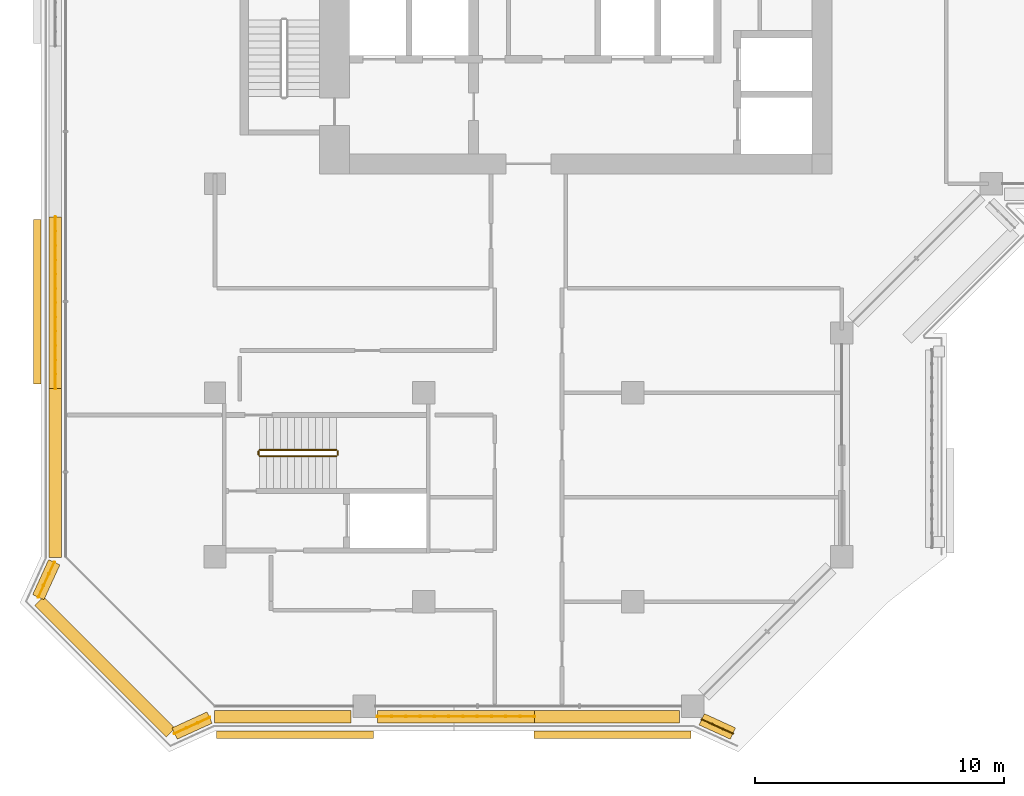
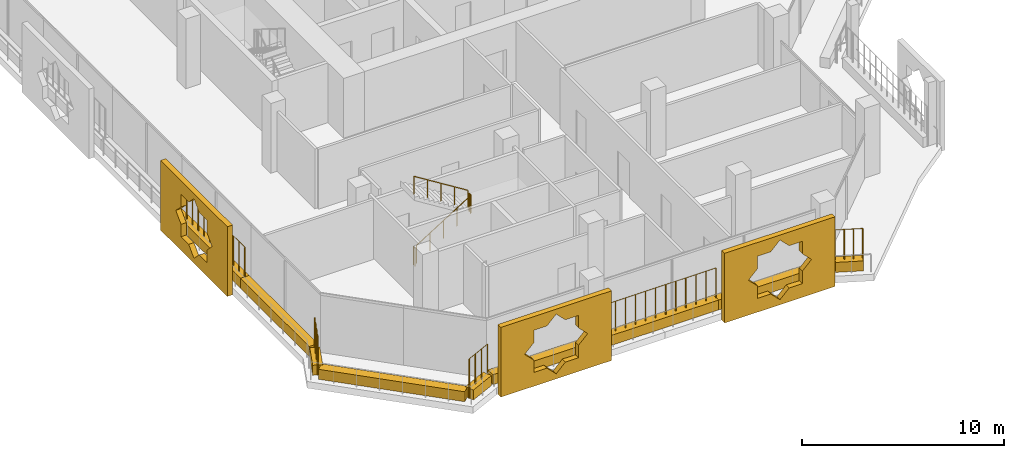
# One storey, part 15 of 22: 12 coverings, 9 railings.
"""IFC4 building model written with IfcOpenShell, lengths in metres."""

from ifc_helpers import new_model, si_unit, direction, frame, origin, origin_2d, place, context, subcontext, project, spatial, polyline, rectangle, circle, outline, extrude, material, material_profile, profile_set, type_object, element, save


model = new_model("IFC4")

# Units and contexts
model_context = context("Model", 3, precision=1e-05, world=origin(), true_north=direction((0.0, 1.0)))
body_context = subcontext(model_context, "Body", "Model", "MODEL_VIEW")
ifc_project = project(units=[si_unit("LENGTHUNIT", "METRE"), si_unit("AREAUNIT", "SQUARE_METRE"), si_unit("VOLUMEUNIT", "CUBIC_METRE"), si_unit("PLANEANGLEUNIT", "RADIAN"), si_unit("MASSUNIT", "GRAM", prefix="KILO")], contexts=[model_context])

# Site, building, storey
site_placement = place(None, origin())
site = spatial("IfcSite", under=ifc_project, at=site_placement, CompositionType="ELEMENT")
building_placement = place(site_placement, origin())
building = spatial("IfcBuilding", under=site, at=building_placement, Name="Kawkab Arch Medical Tower", CompositionType="ELEMENT")
storey_placement = place(building_placement, frame((0.0, 0.0, 255.800048828125)))
storey = spatial("IfcBuildingStorey", under=building, at=storey_placement, Name="L59", CompositionType="ELEMENT", Elevation=255.800048828125)

# Coverings
ifc_material_1 = material(Name="Bronze anodised aluminium mashrabiya panel, eight-point star pattern", Category="aluminium")
ifc_material_profile_1 = material_profile(ifc_material_1, outline(polyline([(-3.14990234375, -2.10009765625), (3.14990234375, -2.10009765625), (3.14990234375, 2.10009765625), (-3.14990234375, 2.10009765625), (-3.14990234375, -2.10009765625)]), holes=[polyline([(1.800048828125, 0.0), (1.272705078125, 0.527099609375), (1.272705078125, 1.272705078125), (0.527099609375, 1.272705078125), (0.0, 1.800048828125), (-0.527099609375, 1.272705078125), (-1.272705078125, 1.272705078125), (-1.272705078125, 0.527099609375), (-1.800048828125, 0.0), (-1.272705078125, -0.527099609375), (-1.272705078125, -1.272705078125), (-0.527099609375, -1.272705078125), (0.0, -1.800048828125), (0.527099609375, -1.272705078125), (1.272705078125, -1.272705078125), (1.272705078125, -0.527099609375), (1.800048828125, 0.0)])]), Name="Mashrabiya panel 6300x4200")
ifc_profile_set_1 = profile_set([ifc_material_profile_1], Name="Bronze anodised aluminium mashrabiya panel, eight-point star pattern")
covering_type_1 = type_object("IfcCoveringType", Name="Mashrabiya panel 6300 x 4200", PredefinedType="USERDEFINED", material=ifc_profile_set_1)
for number, where, z_axis, x_axis, name in (
    (1, (15.9814453125, -47.199951171875, 1.699951171875), (0.0, -1.0, 0.0), (1.0, 0.0, 0.0), "Mashrabiya panel L59.LOG-01-01.1"),
    (2, (3.218505859375, -47.199951171875, 1.699951171875), (0.0, -1.0, 0.0), (1.0, 0.0, 0.0), "Mashrabiya panel L59.LOG-01-01.2"),
):
    element("IfcCovering", number, at=place(storey_placement, frame(where, z_axis=z_axis, x_axis=x_axis)), inside=storey, type_object=covering_type_1, Name=name, ObjectType="SCREEN", PredefinedType="USERDEFINED", context=body_context, shape_type="SweptSolid", body=[
        extrude(outline(polyline([(-3.14990234375, -2.10009765625), (3.14990234375, -2.10009765625), (3.14990234375, 2.10009765625), (-3.14990234375, 2.10009765625), (-3.14990234375, -2.10009765625)]), holes=[polyline([(1.800048828125, 0.0), (1.272705078125, 0.527099609375), (1.272705078125, 1.272705078125), (0.527099609375, 1.272705078125), (0.0, 1.800048828125), (-0.527099609375, 1.272705078125), (-1.272705078125, 1.272705078125), (-1.272705078125, 0.527099609375), (-1.800048828125, 0.0), (-1.272705078125, -0.527099609375), (-1.272705078125, -1.272705078125), (-0.527099609375, -1.272705078125), (0.0, -1.800048828125), (0.527099609375, -1.272705078125), (1.272705078125, -1.272705078125), (1.272705078125, -0.527099609375), (1.800048828125, 0.0)])]), origin(), (0.0, 0.0, 1.0), 0.300048828125),
    ])
ifc_material_2 = material(Name="Bronze anodised aluminium mashrabiya panel, eight-point star pattern", Category="aluminium")
ifc_material_profile_2 = material_profile(ifc_material_2, outline(polyline([(-3.300048828125, -2.10009765625), (3.300048828125, -2.10009765625), (3.300048828125, 2.10009765625), (-3.300048828125, 2.10009765625), (-3.300048828125, -2.10009765625)]), holes=[polyline([(1.800048828125, 0.0), (1.272705078125, 0.527099609375), (1.272705078125, 1.272705078125), (0.527099609375, 1.272705078125), (0.0, 1.800048828125), (-0.527099609375, 1.272705078125), (-1.272705078125, 1.272705078125), (-1.272705078125, 0.527099609375), (-1.800048828125, 0.0), (-1.272705078125, -0.527099609375), (-1.272705078125, -1.272705078125), (-0.527099609375, -1.272705078125), (0.0, -1.800048828125), (0.527099609375, -1.272705078125), (1.272705078125, -1.272705078125), (1.272705078125, -0.527099609375), (1.800048828125, 0.0)])]), Name="Mashrabiya panel 6600x4200")
ifc_profile_set_2 = profile_set([ifc_material_profile_2], Name="Bronze anodised aluminium mashrabiya panel, eight-point star pattern")
covering_type_2 = type_object("IfcCoveringType", Name="Mashrabiya panel 6600 x 4200", PredefinedType="USERDEFINED", material=ifc_profile_set_2)
covering_1_placement = place(storey_placement, frame((-7.0, -29.94091796875, 1.699951171875), z_axis=(-1.0, 0.0, 0.0), x_axis=(0.0, -1.0, 0.0)))
element("IfcCovering", 3, at=covering_1_placement, inside=storey, type_object=covering_type_2, Name="Mashrabiya panel L59.LOG-01-01.3", ObjectType="SCREEN", PredefinedType="USERDEFINED", context=body_context, shape_type="SweptSolid", body=[
    extrude(outline(polyline([(-3.300048828125, -2.10009765625), (3.300048828125, -2.10009765625), (3.300048828125, 2.10009765625), (-3.300048828125, 2.10009765625), (-3.300048828125, -2.10009765625)]), holes=[polyline([(1.800048828125, 0.0), (1.272705078125, 0.527099609375), (1.272705078125, 1.272705078125), (0.527099609375, 1.272705078125), (0.0, 1.800048828125), (-0.527099609375, 1.272705078125), (-1.272705078125, 1.272705078125), (-1.272705078125, 0.527099609375), (-1.800048828125, 0.0), (-1.272705078125, -0.527099609375), (-1.272705078125, -1.272705078125), (-0.527099609375, -1.272705078125), (0.0, -1.800048828125), (0.527099609375, -1.272705078125), (1.272705078125, -1.272705078125), (1.272705078125, -0.527099609375), (1.800048828125, 0.0)])]), origin(), (0.0, 0.0, 1.0), 0.300048828125),
])
ifc_material_3 = material(Name="Planting soil in a precast trough", Category="concrete")
ifc_material_profile_3 = material_profile(ifc_material_3, rectangle(XDim=0.5, YDim=0.60009765625, at=origin_2d()), Name="Trough 500x600")
ifc_profile_set_3 = profile_set([ifc_material_profile_3], Name="Planting soil in a precast trough")
covering_type_3 = type_object("IfcCoveringType", Name="Planter trough 500 x 600", PredefinedType="USERDEFINED", material=ifc_profile_set_3)
covering_2_placement = place(storey_placement, frame((20.821044921875, -47.302001953125, 0.300048828125), z_axis=(-0.909831953447, 0.41497688669, 0.0), x_axis=(-0.41497688669, -0.909831953447, 0.0)))
element("IfcCovering", 4, at=covering_2_placement, inside=storey, type_object=covering_type_3, Name="Planter L59.LOG-01-01.1", ObjectType="PLANTER", PredefinedType="USERDEFINED", context=body_context, shape_type="SweptSolid", body=[
    extrude(rectangle(XDim=0.5, YDim=0.60009765625, at=origin_2d()), origin(), (0.0, 0.0, 1.0), 1.37841796875),
])
covering_3_placement = place(storey_placement, frame((18.669921875, -46.6201171875, 0.300048828125), z_axis=(-1.0, 0.0, 0.0), x_axis=(0.0, -1.0, 0.0)))
element("IfcCovering", 5, at=covering_3_placement, inside=storey, type_object=covering_type_3, Name="Planter L59.LOG-01-01.2", ObjectType="PLANTER", PredefinedType="USERDEFINED", context=body_context, shape_type="SweptSolid", body=[
    extrude(rectangle(XDim=0.5, YDim=0.60009765625, at=origin_2d()), origin(), (0.0, 0.0, 1.0), 5.827880859375),
])
covering_4_placement = place(storey_placement, frame((12.842041015625, -46.6201171875, 0.300048828125), z_axis=(-1.0, 0.0, 0.0), x_axis=(0.0, -1.0, 0.0)))
element("IfcCovering", 6, at=covering_4_placement, inside=storey, type_object=covering_type_3, Name="Planter L59.LOG-01-01.3", ObjectType="PLANTER", PredefinedType="USERDEFINED", context=body_context, shape_type="SweptSolid", body=[
    extrude(rectangle(XDim=0.5, YDim=0.60009765625, at=origin_2d()), origin(), (0.0, 0.0, 1.0), 6.31201171875),
])
covering_5_placement = place(storey_placement, frame((5.469970703125, -46.6201171875, 0.300048828125), z_axis=(-1.0, 0.0, 0.0), x_axis=(0.0, -1.0, 0.0)))
element("IfcCovering", 7, at=covering_5_placement, inside=storey, type_object=covering_type_3, Name="Planter L59.LOG-01-01.4", ObjectType="PLANTER", PredefinedType="USERDEFINED", context=body_context, shape_type="SweptSolid", body=[
    extrude(rectangle(XDim=0.5, YDim=0.60009765625, at=origin_2d()), origin(), (0.0, 0.0, 1.0), 5.495849609375),
])
covering_6_placement = place(storey_placement, frame((-0.217041015625, -46.660888671875, 0.300048828125), z_axis=(-0.909655525109, -0.415363486165, 0.0), x_axis=(0.415363486165, -0.909655525109, 0.0)))
element("IfcCovering", 8, at=covering_6_placement, inside=storey, type_object=covering_type_3, Name="Planter L59.LOG-01-01.5", ObjectType="PLANTER", PredefinedType="USERDEFINED", context=body_context, shape_type="SweptSolid", body=[
    extrude(rectangle(XDim=0.5, YDim=0.60009765625, at=origin_2d()), origin(), (0.0, 0.0, 1.0), 1.54345703125),
])
covering_7_placement = place(storey_placement, frame((-1.782958984375, -47.27294921875, 0.300048828125), z_axis=(-0.707106781187, 0.707106781187, 0.0), x_axis=(-0.707106781187, -0.707106781187, 0.0)))
element("IfcCovering", 9, at=covering_7_placement, inside=storey, type_object=covering_type_3, Name="Planter L59.LOG-01-01.6", ObjectType="PLANTER", PredefinedType="USERDEFINED", context=body_context, shape_type="SweptSolid", body=[
    extrude(rectangle(XDim=0.5, YDim=0.60009765625, at=origin_2d()), origin(), (0.0, 0.0, 1.0), 7.481201171875),
])
covering_8_placement = place(storey_placement, frame((-7.10205078125, -41.821044921875, 0.300048828125), z_axis=(0.415363486165, 0.909655525109, 0.0), x_axis=(-0.909655525109, 0.415363486165, 0.0)))
element("IfcCovering", 10, at=covering_8_placement, inside=storey, type_object=covering_type_3, Name="Planter L59.LOG-01-01.7", ObjectType="PLANTER", PredefinedType="USERDEFINED", context=body_context, shape_type="SweptSolid", body=[
    extrude(rectangle(XDim=0.5, YDim=0.60009765625, at=origin_2d()), origin(), (0.0, 0.0, 1.0), 1.54345703125),
])
covering_9_placement = place(storey_placement, frame((-6.419921875, -40.22607421875, 0.300048828125), z_axis=(0.0, 1.0, 0.0), x_axis=(-1.0, 0.0, 0.0)))
element("IfcCovering", 11, at=covering_9_placement, inside=storey, type_object=covering_type_3, Name="Planter L59.LOG-01-01.8", ObjectType="PLANTER", PredefinedType="USERDEFINED", context=body_context, shape_type="SweptSolid", body=[
    extrude(rectangle(XDim=0.5, YDim=0.60009765625, at=origin_2d()), origin(), (0.0, 0.0, 1.0), 6.7900390625),
])
covering_10_placement = place(storey_placement, frame((-6.419921875, -33.43603515625, 0.300048828125), z_axis=(0.0, 1.0, 0.0), x_axis=(-1.0, 0.0, 0.0)))
element("IfcCovering", 12, at=covering_10_placement, inside=storey, type_object=covering_type_3, Name="Planter L59.LOG-01-01.9", ObjectType="PLANTER", PredefinedType="USERDEFINED", context=body_context, shape_type="SweptSolid", body=[
    extrude(rectangle(XDim=0.5, YDim=0.60009765625, at=origin_2d()), origin(), (0.0, 0.0, 1.0), 6.89111328125),
])

# Railings
ifc_material_4 = material(Name="Bronze anodised aluminium trellis for climbing plants", Category="aluminium")
railing_type_1 = type_object("IfcRailingType", Name="Planting trellis 2400", PredefinedType="USERDEFINED", material=ifc_material_4)
railing_1_placement = place(storey_placement, frame((20.821044921875, -47.302001953125, 0.0)))
element("IfcRailing", 13, at=railing_1_placement, inside=storey, type_object=railing_type_1, Name="Planting trellis L59.LOG-01-01.1", ObjectType="TRELLIS", PredefinedType="USERDEFINED", context=body_context, shape_type="SweptSolid", body=[
    extrude(circle(Radius=0.01513671875, at=origin_2d()), frame((0.0, 0.0, 2.384765625), z_axis=(-0.909831953447, 0.41497688669, 0.0), x_axis=(-0.41497688669, -0.909831953447, 0.0)), (0.0, 0.0, 1.0), 1.37841796875),
    extrude(circle(Radius=0.030029296875, at=origin_2d()), origin(), (0.0, 0.0, 1.0), 2.369873046875),
    extrude(circle(Radius=0.030029296875, at=origin_2d()), frame((-0.41796875, 0.190673828125, 0.0)), (0.0, 0.0, 1.0), 2.369873046875),
    extrude(circle(Radius=0.030029296875, at=origin_2d()), frame((-0.836181640625, 0.38134765625, 0.0)), (0.0, 0.0, 1.0), 2.369873046875),
    extrude(circle(Radius=0.030029296875, at=origin_2d()), frame((-1.254150390625, 0.572021484375, 0.0)), (0.0, 0.0, 1.0), 2.369873046875),
])
railing_2_placement = place(storey_placement, frame((12.842041015625, -46.6201171875, 0.0)))
element("IfcRailing", 14, at=railing_2_placement, inside=storey, type_object=railing_type_1, Name="Planting trellis L59.LOG-01-01.3", ObjectType="TRELLIS", PredefinedType="USERDEFINED", context=body_context, shape_type="SweptSolid", body=[
    extrude(circle(Radius=0.01513671875, at=origin_2d()), frame((0.0, 0.0, 2.384765625), z_axis=(-1.0, 0.0, 0.0), x_axis=(0.0, -1.0, 0.0)), (0.0, 0.0, 1.0), 6.31201171875),
    extrude(circle(Radius=0.030029296875, at=origin_2d()), origin(), (0.0, 0.0, 1.0), 2.369873046875),
    extrude(circle(Radius=0.030029296875, at=origin_2d()), frame((-0.57373046875, 0.0, 0.0)), (0.0, 0.0, 1.0), 2.369873046875),
    extrude(circle(Radius=0.030029296875, at=origin_2d()), frame((-1.147705078125, 0.0, 0.0)), (0.0, 0.0, 1.0), 2.369873046875),
    extrude(circle(Radius=0.030029296875, at=origin_2d()), frame((-1.721435546875, 0.0, 0.0)), (0.0, 0.0, 1.0), 2.369873046875),
    extrude(circle(Radius=0.030029296875, at=origin_2d()), frame((-2.295166015625, 0.0, 0.0)), (0.0, 0.0, 1.0), 2.369873046875),
    extrude(circle(Radius=0.030029296875, at=origin_2d()), frame((-2.869140625, 0.0, 0.0)), (0.0, 0.0, 1.0), 2.369873046875),
    extrude(circle(Radius=0.030029296875, at=origin_2d()), frame((-3.44287109375, 0.0, 0.0)), (0.0, 0.0, 1.0), 2.369873046875),
    extrude(circle(Radius=0.030029296875, at=origin_2d()), frame((-4.016845703125, 0.0, 0.0)), (0.0, 0.0, 1.0), 2.369873046875),
    extrude(circle(Radius=0.030029296875, at=origin_2d()), frame((-4.590576171875, 0.0, 0.0)), (0.0, 0.0, 1.0), 2.369873046875),
    extrude(circle(Radius=0.030029296875, at=origin_2d()), frame((-5.164306640625, 0.0, 0.0)), (0.0, 0.0, 1.0), 2.369873046875),
    extrude(circle(Radius=0.030029296875, at=origin_2d()), frame((-5.73828125, 0.0, 0.0)), (0.0, 0.0, 1.0), 2.369873046875),
    extrude(circle(Radius=0.030029296875, at=origin_2d()), frame((-6.31201171875, 0.0, 0.0)), (0.0, 0.0, 1.0), 2.369873046875),
])
railing_3_placement = place(storey_placement, frame((-0.217041015625, -46.660888671875, 0.0)))
element("IfcRailing", 15, at=railing_3_placement, inside=storey, type_object=railing_type_1, Name="Planting trellis L59.LOG-01-01.5", ObjectType="TRELLIS", PredefinedType="USERDEFINED", context=body_context, shape_type="SweptSolid", body=[
    extrude(circle(Radius=0.01513671875, at=origin_2d()), frame((0.0, 0.0, 2.384765625), z_axis=(-0.909655525109, -0.415363486165, 0.0), x_axis=(0.415363486165, -0.909655525109, 0.0)), (0.0, 0.0, 1.0), 1.54345703125),
    extrude(circle(Radius=0.030029296875, at=origin_2d()), origin(), (0.0, 0.0, 1.0), 2.369873046875),
    extrude(circle(Radius=0.030029296875, at=origin_2d()), frame((-0.468017578125, -0.213623046875, 0.0)), (0.0, 0.0, 1.0), 2.369873046875),
    extrude(circle(Radius=0.030029296875, at=origin_2d()), frame((-0.93603515625, -0.427490234375, 0.0)), (0.0, 0.0, 1.0), 2.369873046875),
    extrude(circle(Radius=0.030029296875, at=origin_2d()), frame((-1.404052734375, -0.64111328125, 0.0)), (0.0, 0.0, 1.0), 2.369873046875),
])
railing_4_placement = place(storey_placement, frame((-7.10205078125, -41.821044921875, 0.0)))
element("IfcRailing", 16, at=railing_4_placement, inside=storey, type_object=railing_type_1, Name="Planting trellis L59.LOG-01-01.7", ObjectType="TRELLIS", PredefinedType="USERDEFINED", context=body_context, shape_type="SweptSolid", body=[
    extrude(circle(Radius=0.01513671875, at=origin_2d()), frame((0.0, 0.0, 2.384765625), z_axis=(0.415363486165, 0.909655525109, 0.0), x_axis=(-0.909655525109, 0.415363486165, 0.0)), (0.0, 0.0, 1.0), 1.54345703125),
    extrude(circle(Radius=0.030029296875, at=origin_2d()), origin(), (0.0, 0.0, 1.0), 2.369873046875),
    extrude(circle(Radius=0.030029296875, at=origin_2d()), frame((0.213623046875, 0.468017578125, 0.0)), (0.0, 0.0, 1.0), 2.369873046875),
    extrude(circle(Radius=0.030029296875, at=origin_2d()), frame((0.427490234375, 0.93603515625, 0.0)), (0.0, 0.0, 1.0), 2.369873046875),
    extrude(circle(Radius=0.030029296875, at=origin_2d()), frame((0.64111328125, 1.404052734375, 0.0)), (0.0, 0.0, 1.0), 2.369873046875),
])
railing_5_placement = place(storey_placement, frame((-6.419921875, -33.43603515625, 0.0)))
element("IfcRailing", 17, at=railing_5_placement, inside=storey, type_object=railing_type_1, Name="Planting trellis L59.LOG-01-01.9", ObjectType="TRELLIS", PredefinedType="USERDEFINED", context=body_context, shape_type="SweptSolid", body=[
    extrude(circle(Radius=0.01513671875, at=origin_2d()), frame((0.0, 0.0, 2.384765625), z_axis=(0.0, 1.0, 0.0), x_axis=(-1.0, 0.0, 0.0)), (0.0, 0.0, 1.0), 6.89111328125),
    extrude(circle(Radius=0.030029296875, at=origin_2d()), origin(), (0.0, 0.0, 1.0), 2.369873046875),
    extrude(circle(Radius=0.030029296875, at=origin_2d()), frame((0.0, 0.57421875, 0.0)), (0.0, 0.0, 1.0), 2.369873046875),
    extrude(circle(Radius=0.030029296875, at=origin_2d()), frame((0.0, 1.1484375, 0.0)), (0.0, 0.0, 1.0), 2.369873046875),
    extrude(circle(Radius=0.030029296875, at=origin_2d()), frame((0.0, 1.72265625, 0.0)), (0.0, 0.0, 1.0), 2.369873046875),
    extrude(circle(Radius=0.030029296875, at=origin_2d()), frame((0.0, 2.297119140625, 0.0)), (0.0, 0.0, 1.0), 2.369873046875),
    extrude(circle(Radius=0.030029296875, at=origin_2d()), frame((0.0, 2.871337890625, 0.0)), (0.0, 0.0, 1.0), 2.369873046875),
    extrude(circle(Radius=0.030029296875, at=origin_2d()), frame((0.0, 3.445556640625, 0.0)), (0.0, 0.0, 1.0), 2.369873046875),
    extrude(circle(Radius=0.030029296875, at=origin_2d()), frame((0.0, 4.019775390625, 0.0)), (0.0, 0.0, 1.0), 2.369873046875),
    extrude(circle(Radius=0.030029296875, at=origin_2d()), frame((0.0, 4.593994140625, 0.0)), (0.0, 0.0, 1.0), 2.369873046875),
    extrude(circle(Radius=0.030029296875, at=origin_2d()), frame((0.0, 5.16845703125, 0.0)), (0.0, 0.0, 1.0), 2.369873046875),
    extrude(circle(Radius=0.030029296875, at=origin_2d()), frame((0.0, 5.74267578125, 0.0)), (0.0, 0.0, 1.0), 2.369873046875),
    extrude(circle(Radius=0.030029296875, at=origin_2d()), frame((0.0, 6.31689453125, 0.0)), (0.0, 0.0, 1.0), 2.369873046875),
    extrude(circle(Radius=0.030029296875, at=origin_2d()), frame((0.0, 6.89111328125, 0.0)), (0.0, 0.0, 1.0), 2.369873046875),
])
ifc_material_5 = material(Name="Stainless steel", Category="steel")
railing_type_2 = type_object("IfcRailingType", Name="Stair guard 1100", PredefinedType="GUARDRAIL", material=ifc_material_5)
railing_6_placement = place(storey_placement, frame((1.800048828125, -36.14990234375, 0.175048828125)))
element("IfcRailing", 18, at=railing_6_placement, inside=storey, type_object=railing_type_2, Name="L59 ST6 stair guard 1", PredefinedType="GUARDRAIL", context=body_context, shape_type="SweptSolid", body=[
    extrude(circle(Radius=0.02392578125, at=origin_2d()), frame((0.0, 0.0, 1.076171875), z_axis=(0.848009633417, 0.0, 0.529980812513), x_axis=(0.0, 1.0, 0.0)), (0.0, 0.0, 1.0), 3.6318359375),
    extrude(circle(Radius=0.02099609375, at=origin_2d()), origin(), (0.0, 0.0, 1.0), 1.052001953125),
    extrude(circle(Radius=0.02099609375, at=origin_2d()), frame((0.77001953125, 0.0, 0.481201171875)), (0.0, 0.0, 1.0), 1.052001953125),
    extrude(circle(Radius=0.02099609375, at=origin_2d()), frame((1.5400390625, 0.0, 0.96240234375)), (0.0, 0.0, 1.0), 1.052001953125),
    extrude(circle(Radius=0.02099609375, at=origin_2d()), frame((2.309814453125, 0.0, 1.443603515625)), (0.0, 0.0, 1.0), 1.052001953125),
    extrude(circle(Radius=0.02099609375, at=origin_2d()), frame((3.079833984375, 0.0, 1.9248046875)), (0.0, 0.0, 1.0), 1.052001953125),
])
railing_7_placement = place(storey_placement, frame((4.929931640625, -36.10009765625, 2.099853515625)))
element("IfcRailing", 19, at=railing_7_placement, inside=storey, type_object=railing_type_2, Name="L59 ST6 stair guard 2", PredefinedType="GUARDRAIL", context=body_context, shape_type="SweptSolid", body=[
    extrude(circle(Radius=0.02392578125, at=origin_2d()), frame((0.0, 0.0, 1.076171875), z_axis=(0.0, 1.0, 0.0), x_axis=(-1.0, 0.0, 0.0)), (0.0, 0.0, 1.0), 0.150146484375),
    extrude(circle(Radius=0.02099609375, at=origin_2d()), origin(), (0.0, 0.0, 1.0), 1.052001953125),
    extrude(circle(Radius=0.02099609375, at=origin_2d()), frame((0.0, 0.150146484375, 0.0)), (0.0, 0.0, 1.0), 1.052001953125),
])
railing_8_placement = place(storey_placement, frame((4.8798828125, -35.89990234375, 2.27490234375)))
element("IfcRailing", 20, at=railing_8_placement, inside=storey, type_object=railing_type_2, Name="L59 ST6 stair guard 3", PredefinedType="GUARDRAIL", context=body_context, shape_type="SweptSolid", body=[
    extrude(circle(Radius=0.02392578125, at=origin_2d()), frame((0.0, 0.0, 1.076171875), z_axis=(-0.847979421464, 0.0, 0.530029150871), x_axis=(0.0, -1.0, 0.0)), (0.0, 0.0, 1.0), 3.632080078125),
    extrude(circle(Radius=0.02099609375, at=origin_2d()), origin(), (0.0, 0.0, 1.0), 1.052001953125),
    extrude(circle(Radius=0.02099609375, at=origin_2d()), frame((-0.77001953125, 0.0, 0.481201171875)), (0.0, 0.0, 1.0), 1.052001953125),
    extrude(circle(Radius=0.02099609375, at=origin_2d()), frame((-1.5400390625, 0.0, 0.96240234375)), (0.0, 0.0, 1.0), 1.052001953125),
    extrude(circle(Radius=0.02099609375, at=origin_2d()), frame((-2.309814453125, 0.0, 1.44384765625)), (0.0, 0.0, 1.0), 1.052001953125),
    extrude(circle(Radius=0.02099609375, at=origin_2d()), frame((-3.079833984375, 0.0, 1.925048828125)), (0.0, 0.0, 1.0), 1.052001953125),
])
railing_9_placement = place(storey_placement, frame((1.75, -36.10009765625, 0.0)))
element("IfcRailing", 21, at=railing_9_placement, inside=storey, type_object=railing_type_2, Name="L59 ST6 stair guard 4", PredefinedType="GUARDRAIL", context=body_context, shape_type="SweptSolid", body=[
    extrude(circle(Radius=0.02392578125, at=origin_2d()), frame((0.0, 0.0, 1.076171875), z_axis=(0.0, 1.0, 0.0), x_axis=(-1.0, 0.0, 0.0)), (0.0, 0.0, 1.0), 0.150146484375),
    extrude(circle(Radius=0.02099609375, at=origin_2d()), origin(), (0.0, 0.0, 1.0), 1.052001953125),
    extrude(circle(Radius=0.02099609375, at=origin_2d()), frame((0.0, 0.150146484375, 0.0)), (0.0, 0.0, 1.0), 1.052001953125),
])

save(model, "model.ifc")
